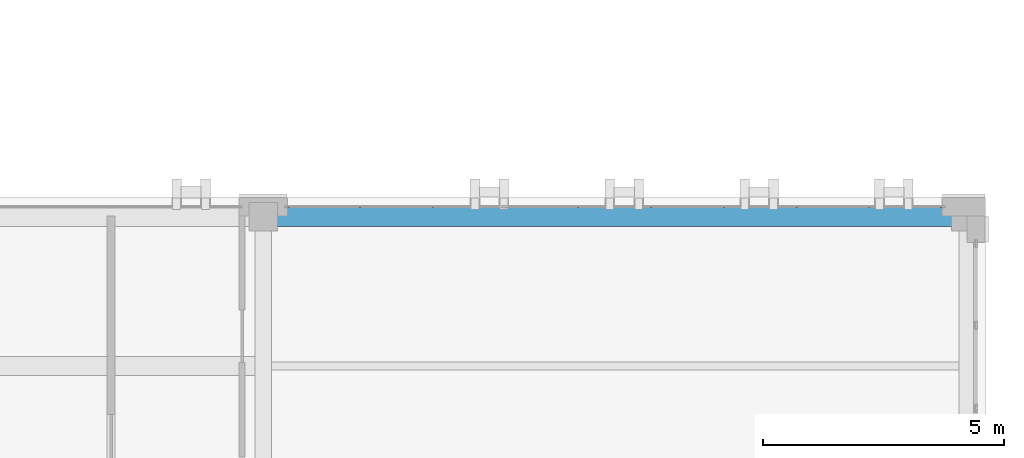
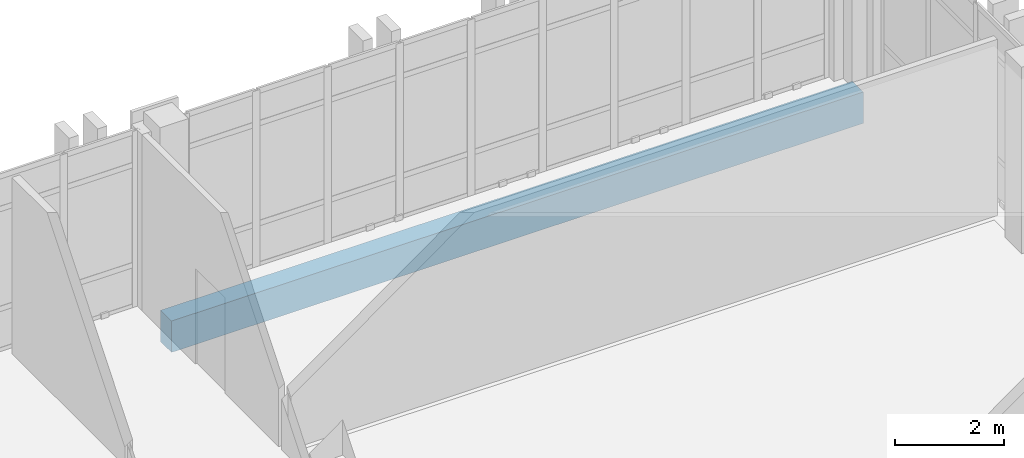
# One storey, part 56 of 90: 1 beam.
"""IFC4 building model written with IfcOpenShell, lengths in metres."""

from ifc_helpers import new_model, si_unit, direction, frame, origin, origin_2d, place, context, subcontext, project, spatial, rectangle, extrude, material, material_profile, profile_set, type_object, element, save


model = new_model("IFC4")

# Units and contexts
model_context = context("Model", 3, precision=1e-05, world=origin(), true_north=direction((0.0, 1.0)))
body_context = subcontext(model_context, "Body", "Model", "MODEL_VIEW")
ifc_project = project(units=[si_unit("LENGTHUNIT", "METRE"), si_unit("AREAUNIT", "SQUARE_METRE"), si_unit("VOLUMEUNIT", "CUBIC_METRE"), si_unit("PLANEANGLEUNIT", "RADIAN"), si_unit("MASSUNIT", "GRAM", prefix="KILO")], contexts=[model_context])

# Site, building, storey
site_placement = place(None, origin())
site = spatial("IfcSite", under=ifc_project, at=site_placement, CompositionType="ELEMENT")
building_placement = place(site_placement, origin())
building = spatial("IfcBuilding", under=site, at=building_placement, Name="Qalavern Law Courts", CompositionType="ELEMENT")
storey_placement = place(building_placement, frame((0.0, 0.0, 22.800048828125)))
storey = spatial("IfcBuildingStorey", under=building, at=storey_placement, Name="L05", CompositionType="ELEMENT", Elevation=22.800048828125)

# Beam
ifc_material = material(Name="Concrete C40/50", Category="concrete")
ifc_material_profile = material_profile(ifc_material, rectangle(XDim=0.39990234375, YDim=0.699951171875, at=origin_2d()), Name="RC 400x700")
ifc_profile_set = profile_set([ifc_material_profile], Name="Concrete C40/50")
beam_type = type_object("IfcBeamType", Name="STR-SP-RC400x700", PredefinedType="SPANDREL", material=ifc_profile_set)
beam_placement = place(storey_placement, frame((91.800048828125, 85.39990234375, -0.625), z_axis=(1.0, 0.0, 0.0), x_axis=(0.0, 1.0, 0.0)))
element("IfcBeam", 1, at=beam_placement, inside=storey, type_object=beam_type, Name="V4 X-beam 7-2 L05", PredefinedType="SPANDREL", context=body_context, shape_type="SweptSolid", body=[
    extrude(rectangle(XDim=0.39990234375, YDim=0.699951171875, at=origin_2d()), origin(), (0.0, 0.0, 1.0), 14.599853515625),
])

save(model, "model.ifc")
